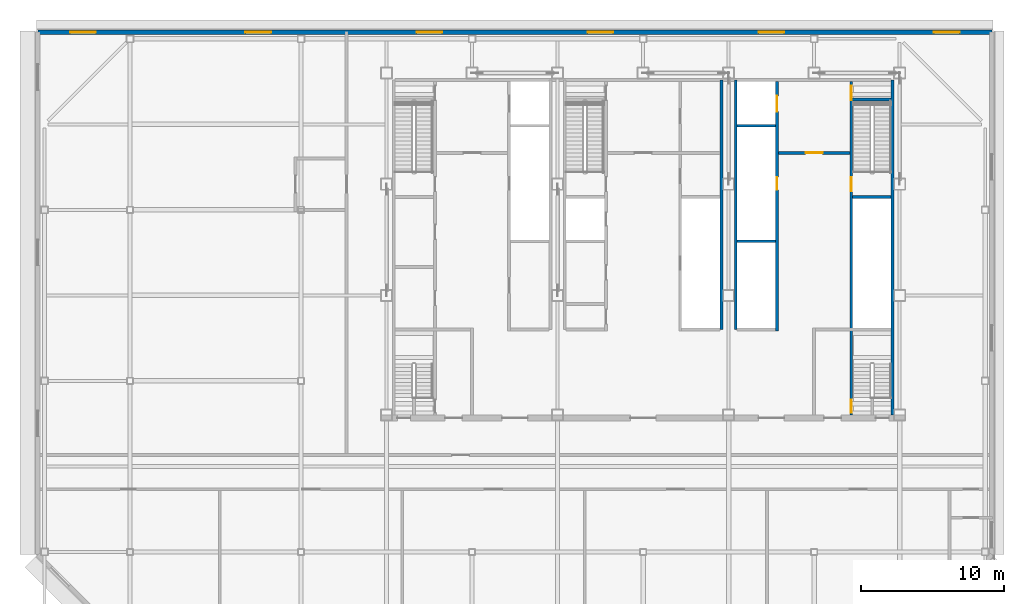
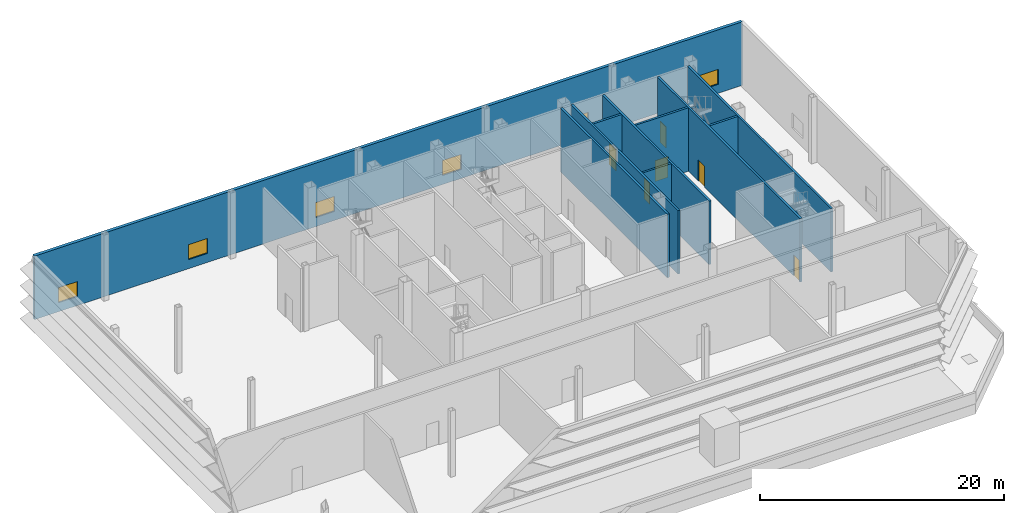
# One storey, part 7 of 14: 11 walls, 6 doors, 6 windows, 12 openings.
"""IFC4 building model written with IfcOpenShell, lengths in metres."""

from ifc_helpers import new_model, si_unit, direction, frame, frame_2d, origin, place, context, subcontext, project, spatial, rectangle, extrude, material, layer, layer_set, type_object, element, fill, save


model = new_model("IFC4")

# Units and contexts
model_context = context("Model", 3, precision=1e-05, world=origin(), true_north=direction((0.0, 1.0)))
body_context = subcontext(model_context, "Body", "Model", "MODEL_VIEW")
ifc_project = project(units=[si_unit("LENGTHUNIT", "METRE"), si_unit("AREAUNIT", "SQUARE_METRE"), si_unit("VOLUMEUNIT", "CUBIC_METRE"), si_unit("PLANEANGLEUNIT", "RADIAN"), si_unit("MASSUNIT", "GRAM", prefix="KILO")], contexts=[model_context])

# Site, building, storey
site_placement = place(None, origin())
site = spatial("IfcSite", under=ifc_project, at=site_placement, CompositionType="ELEMENT")
building_placement = place(site_placement, origin())
building = spatial("IfcBuilding", under=site, at=building_placement, Name="Sorahane Residences", CompositionType="ELEMENT")
storey_placement = place(building_placement, frame((0.0, 0.0, 331.199951171875)))
storey = spatial("IfcBuildingStorey", under=building, at=storey_placement, Name="L79", CompositionType="ELEMENT", Elevation=331.199951171875)

# Walls
ifc_material_1 = material(Name="Concrete C30", Category="concrete")
ifc_layer_1 = layer(ifc_material_1, 0.199951171875)
ifc_layer_set_1 = layer_set([ifc_layer_1], Name="Core face wall 200 EI 180")
wall_type_1 = type_object("IfcWallType", Name="Core face wall 200 EI 180", PredefinedType="SOLIDWALL", material=ifc_layer_set_1)
wall_1_placement = place(storey_placement, frame((41.5, 21.60009765625, 0.0), z_axis=(0.0, 0.0, 1.0), x_axis=(0.0, 1.0, 0.0)))
element("IfcWall", 1, at=wall_1_placement, inside=storey, type_object=wall_type_1, Name="L79 core face wall", PredefinedType="SOLIDWALL", context=body_context, shape_type="SweptSolid", body=[
    extrude(rectangle(XDim=23.5, YDim=0.199951171875, at=frame_2d((11.75, 0.0))), origin(), (0.0, 0.0, 1.0), 6.35009765625),
])
for number, where, z_axis, x_axis, name in (
    (2, (29.5, 27.60009765625, 0.0), (0.0, 0.0, 1.0), (0.0, 1.0, 0.0), "L79 core face wall"),
    (3, (30.5, 27.60009765625, 0.0), (0.0, 0.0, 1.0), (0.0, 1.0, 0.0), "L79 core face wall"),
):
    element("IfcWall", number, at=place(storey_placement, frame(where, z_axis=z_axis, x_axis=x_axis)), inside=storey, type_object=wall_type_1, Name=name, PredefinedType="SOLIDWALL", context=body_context, shape_type="SweptSolid", body=[
        extrude(rectangle(XDim=17.5, YDim=0.199951171875, at=frame_2d((8.75, 0.0))), origin(), (0.0, 0.0, 1.0), 6.35009765625),
    ])

# Wall, openings, windows
ifc_material_2 = material(Name="Graphite insulated metal-clad wall")
ifc_layer_2 = layer(ifc_material_2, 0.300048828125)
ifc_layer_set_2 = layer_set([ifc_layer_2], Name="External wall insulated metal-clad 300")
wall_type_2 = type_object("IfcWallType", Name="External wall insulated metal-clad 300", PredefinedType="SOLIDWALL", material=ifc_layer_set_2)
wall_2_placement = place(storey_placement, frame((48.469970703125, 48.469970703125, 0.0), z_axis=(0.0, 0.0, 1.0), x_axis=(-1.0, 0.0, 0.0)))
wall_2 = element("IfcWall", 4, at=wall_2_placement, inside=storey, type_object=wall_type_2, Name="External plant wall L79 N1", PredefinedType="SOLIDWALL", context=body_context, shape_type="SweptSolid", body=[
    extrude(rectangle(XDim=66.93994140625, YDim=0.300048828125, at=frame_2d((33.469970703125, 0.0))), origin(), (0.0, 0.0, 1.0), 6.35009765625),
])
opening_1_placement = place(wall_2_placement, frame((2.27001953125, 0.0, 0.89990234375)))
opening_1 = element("IfcOpeningElement", 5, at=opening_1_placement, cuts=wall_2, Name="Opening W-R1", PredefinedType="OPENING", context=body_context, shape_type="SweptSolid", body=[
    extrude(rectangle(XDim=1.800048828125, YDim=1.5, at=frame_2d((0.89990234375, 0.75))), frame((0.0, 0.159912109375, 0.0), z_axis=(0.0, -1.0, 0.0), x_axis=(1.0, 0.0, 0.0)), (0.0, 0.0, 1.0), 0.320068359375),
])
opening_2_placement = place(wall_2_placement, frame((14.570068359375, 0.0, 0.89990234375)))
opening_2 = element("IfcOpeningElement", 6, at=opening_2_placement, cuts=wall_2, Name="Opening W-R1", PredefinedType="OPENING", context=body_context, shape_type="SweptSolid", body=[
    extrude(rectangle(XDim=1.800048828125, YDim=1.5, at=frame_2d((0.89990234375, 0.75))), frame((0.0, 0.159912109375, 0.0), z_axis=(0.0, -1.0, 0.0), x_axis=(1.0, 0.0, 0.0)), (0.0, 0.0, 1.0), 0.320068359375),
])
opening_3_placement = place(wall_2_placement, frame((26.570068359375, 0.0, 0.89990234375)))
opening_3 = element("IfcOpeningElement", 7, at=opening_3_placement, cuts=wall_2, Name="Opening W-R1", PredefinedType="OPENING", context=body_context, shape_type="SweptSolid", body=[
    extrude(rectangle(XDim=1.800048828125, YDim=1.5, at=frame_2d((0.89990234375, 0.75))), frame((0.0, 0.159912109375, 0.0), z_axis=(0.0, -1.0, 0.0), x_axis=(1.0, 0.0, 0.0)), (0.0, 0.0, 1.0), 0.320068359375),
])
opening_4_placement = place(wall_2_placement, frame((38.570068359375, 0.0, 0.89990234375)))
opening_4 = element("IfcOpeningElement", 8, at=opening_4_placement, cuts=wall_2, Name="Opening W-R1", PredefinedType="OPENING", context=body_context, shape_type="SweptSolid", body=[
    extrude(rectangle(XDim=1.800048828125, YDim=1.5, at=frame_2d((0.89990234375, 0.75))), frame((0.0, 0.159912109375, 0.0), z_axis=(0.0, -1.0, 0.0), x_axis=(1.0, 0.0, 0.0)), (0.0, 0.0, 1.0), 0.320068359375),
])
opening_5_placement = place(wall_2_placement, frame((50.570068359375, 0.0, 0.89990234375)))
opening_5 = element("IfcOpeningElement", 9, at=opening_5_placement, cuts=wall_2, Name="Opening W-R1", PredefinedType="OPENING", context=body_context, shape_type="SweptSolid", body=[
    extrude(rectangle(XDim=1.800048828125, YDim=1.5, at=frame_2d((0.89990234375, 0.75))), frame((0.0, 0.159912109375, 0.0), z_axis=(0.0, -1.0, 0.0), x_axis=(1.0, 0.0, 0.0)), (0.0, 0.0, 1.0), 0.320068359375),
])
opening_6_placement = place(wall_2_placement, frame((62.8701171875, 0.0, 0.89990234375)))
opening_6 = element("IfcOpeningElement", 10, at=opening_6_placement, cuts=wall_2, Name="Opening W-R1", PredefinedType="OPENING", context=body_context, shape_type="SweptSolid", body=[
    extrude(rectangle(XDim=1.800048828125, YDim=1.5, at=frame_2d((0.89990234375, 0.75))), frame((0.0, 0.159912109375, 0.0), z_axis=(0.0, -1.0, 0.0), x_axis=(1.0, 0.0, 0.0)), (0.0, 0.0, 1.0), 0.320068359375),
])
ifc_material_3 = material(Name="Dark aluminium and glass", Category="aluminium")
window_type = type_object("IfcWindowType", Name="Openable Class B fire window dark aluminium 1800x1500", PartitioningType="SINGLE_PANEL", PredefinedType="WINDOW", material=ifc_material_3)
window_1_placement = place(opening_1_placement, origin())
window_1 = element("IfcWindow", 11, at=window_1_placement, inside=storey, type_object=window_type, Name="Openable fire window L79 N1.1", OverallHeight=1.5, OverallWidth=1.800048828125, PartitioningType="SINGLE_PANEL", PredefinedType="WINDOW", context=body_context, shape_type="SweptSolid", body=[
    extrude(rectangle(XDim=1.800048828125, YDim=1.5, at=frame_2d((0.89990234375, 0.75))), frame((0.0, 0.030029296875, 0.0), z_axis=(0.0, -1.0, 0.0), x_axis=(1.0, 0.0, 0.0)), (0.0, 0.0, 1.0), 0.06005859375),
])
fill(opening_1, window_1)
window_2_placement = place(opening_2_placement, origin())
window_2 = element("IfcWindow", 12, at=window_2_placement, inside=storey, type_object=window_type, Name="Openable fire window L79 N1.3", OverallHeight=1.5, OverallWidth=1.800048828125, PartitioningType="SINGLE_PANEL", PredefinedType="WINDOW", context=body_context, shape_type="SweptSolid", body=[
    extrude(rectangle(XDim=1.800048828125, YDim=1.5, at=frame_2d((0.89990234375, 0.75))), frame((0.0, 0.030029296875, 0.0), z_axis=(0.0, -1.0, 0.0), x_axis=(1.0, 0.0, 0.0)), (0.0, 0.0, 1.0), 0.06005859375),
])
fill(opening_2, window_2)
window_3_placement = place(opening_3_placement, origin())
window_3 = element("IfcWindow", 13, at=window_3_placement, inside=storey, type_object=window_type, Name="Openable fire window L79 N1.5", OverallHeight=1.5, OverallWidth=1.800048828125, PartitioningType="SINGLE_PANEL", PredefinedType="WINDOW", context=body_context, shape_type="SweptSolid", body=[
    extrude(rectangle(XDim=1.800048828125, YDim=1.5, at=frame_2d((0.89990234375, 0.75))), frame((0.0, 0.030029296875, 0.0), z_axis=(0.0, -1.0, 0.0), x_axis=(1.0, 0.0, 0.0)), (0.0, 0.0, 1.0), 0.06005859375),
])
fill(opening_3, window_3)
window_4_placement = place(opening_4_placement, origin())
window_4 = element("IfcWindow", 14, at=window_4_placement, inside=storey, type_object=window_type, Name="Openable fire window L79 N1.7", OverallHeight=1.5, OverallWidth=1.800048828125, PartitioningType="SINGLE_PANEL", PredefinedType="WINDOW", context=body_context, shape_type="SweptSolid", body=[
    extrude(rectangle(XDim=1.800048828125, YDim=1.5, at=frame_2d((0.89990234375, 0.75))), frame((0.0, 0.030029296875, 0.0), z_axis=(0.0, -1.0, 0.0), x_axis=(1.0, 0.0, 0.0)), (0.0, 0.0, 1.0), 0.06005859375),
])
fill(opening_4, window_4)
window_5_placement = place(opening_5_placement, origin())
window_5 = element("IfcWindow", 15, at=window_5_placement, inside=storey, type_object=window_type, Name="Openable fire window L79 N1.9", OverallHeight=1.5, OverallWidth=1.800048828125, PartitioningType="SINGLE_PANEL", PredefinedType="WINDOW", context=body_context, shape_type="SweptSolid", body=[
    extrude(rectangle(XDim=1.800048828125, YDim=1.5, at=frame_2d((0.89990234375, 0.75))), frame((0.0, 0.030029296875, 0.0), z_axis=(0.0, -1.0, 0.0), x_axis=(1.0, 0.0, 0.0)), (0.0, 0.0, 1.0), 0.06005859375),
])
fill(opening_5, window_5)
window_6_placement = place(opening_6_placement, origin())
window_6 = element("IfcWindow", 16, at=window_6_placement, inside=storey, type_object=window_type, Name="Openable fire window L79 N1.11", OverallHeight=1.5, OverallWidth=1.800048828125, PartitioningType="SINGLE_PANEL", PredefinedType="WINDOW", context=body_context, shape_type="SweptSolid", body=[
    extrude(rectangle(XDim=1.800048828125, YDim=1.5, at=frame_2d((0.89990234375, 0.75))), frame((0.0, 0.030029296875, 0.0), z_axis=(0.0, -1.0, 0.0), x_axis=(1.0, 0.0, 0.0)), (0.0, 0.0, 1.0), 0.06005859375),
])
fill(opening_6, window_6)

# Wall, opening, door
ifc_material_4 = material(Name="Concrete C30", Category="concrete")
ifc_layer_3 = layer(ifc_material_4, 0.199951171875)
ifc_layer_set_3 = layer_set([ifc_layer_3], Name="Front room wall 200 EI 120")
wall_type_3 = type_object("IfcWallType", Name="Front room wall 200 EI 120", PredefinedType="PARTITIONING", material=ifc_layer_set_3)
wall_3_placement = place(storey_placement, frame((33.5, 40.0, 0.0), z_axis=(0.0, 0.0, 1.0), x_axis=(1.0, 0.0, 0.0)))
wall_3 = element("IfcWall", 17, at=wall_3_placement, inside=storey, type_object=wall_type_3, Name="L79 front room wall", PredefinedType="PARTITIONING", context=body_context, shape_type="SweptSolid", body=[
    extrude(rectangle(XDim=5.0, YDim=0.199951171875, at=frame_2d((2.5, 0.0))), origin(), (0.0, 0.0, 1.0), 6.35009765625),
])
opening_7_placement = place(wall_3_placement, frame((1.89990234375, 0.0, 0.0)))
opening_7 = element("IfcOpeningElement", 18, at=opening_7_placement, cuts=wall_3, Name="Opening L79-C08", PredefinedType="OPENING", context=body_context, shape_type="SweptSolid", body=[
    extrude(rectangle(XDim=1.199951171875, YDim=2.10009765625, at=frame_2d((0.60009765625, 1.050048828125))), frame((0.0, 0.10986328125, 0.0), z_axis=(0.0, -1.0, 0.0), x_axis=(1.0, 0.0, 0.0)), (0.0, 0.0, 1.0), 0.219970703125),
])
ifc_material_5 = material(Name="Steel", Category="steel")
door_type_1 = type_object("IfcDoorType", Name="Front room door 1200x2100 FD120", OperationType="NOTDEFINED", PredefinedType="DOOR", material=ifc_material_5)
door_1_placement = place(opening_7_placement, frame((1.199951171875, 0.0, 0.0), z_axis=(0.0, 0.0, 1.0), x_axis=(-1.0, 0.0, 0.0)))
door_1 = element("IfcDoor", 19, at=door_1_placement, inside=storey, type_object=door_type_1, Name="Front room door Firefighting lobby FF2 front room L79", OperationType="DOUBLE_DOOR_SINGLE_SWING", OverallHeight=2.10009765625, OverallWidth=1.199951171875, PredefinedType="DOOR", context=body_context, shape_type="SweptSolid", body=[
    extrude(rectangle(XDim=1.199951171875, YDim=2.10009765625, at=frame_2d((0.60009765625, 1.050048828125))), frame((0.0, 0.02490234375, 0.0), z_axis=(0.0, -1.0, 0.0), x_axis=(1.0, 0.0, 0.0)), (0.0, 0.0, 1.0), 0.050048828125),
])
fill(opening_7, door_1)

# Wall, openings, doors
ifc_material_6 = material(Name="Concrete C30", Category="concrete")
ifc_layer_4 = layer(ifc_material_6, 0.199951171875)
ifc_layer_set_4 = layer_set([ifc_layer_4], Name="Lift shaft wall 200 EI 120")
wall_type_4 = type_object("IfcWallType", Name="Lift shaft wall 200 EI 120", PredefinedType="SOLIDWALL", material=ifc_layer_set_4)
wall_4_placement = place(storey_placement, frame((33.39990234375, 27.5, 0.0), z_axis=(0.0, 0.0, 1.0), x_axis=(0.0, 1.0, 0.0)))
wall_4 = element("IfcWall", 20, at=wall_4_placement, inside=storey, type_object=wall_type_4, Name="L79 lift shaft wall", PredefinedType="SOLIDWALL", context=body_context, shape_type="SweptSolid", body=[
    extrude(rectangle(XDim=17.5, YDim=0.199951171875, at=frame_2d((8.75, 0.0))), origin(), (0.0, 0.0, 1.0), 6.35009765625),
])
opening_8_placement = place(wall_4_placement, frame((15.39990234375, 0.0, 0.0)))
opening_8 = element("IfcOpeningElement", 21, at=opening_8_placement, cuts=wall_4, Name="Opening L79-C09", PredefinedType="OPENING", context=body_context, shape_type="SweptSolid", body=[
    extrude(rectangle(XDim=1.10009765625, YDim=2.10009765625, at=frame_2d((0.550048828125, 1.050048828125))), frame((0.0, 0.10986328125, 0.0), z_axis=(0.0, -1.0, 0.0), x_axis=(1.0, 0.0, 0.0)), (0.0, 0.0, 1.0), 0.219970703125),
])
opening_9_placement = place(wall_4_placement, frame((9.89990234375, 0.0, 0.0)))
opening_9 = element("IfcOpeningElement", 22, at=opening_9_placement, cuts=wall_4, Name="Opening L79-C27", PredefinedType="OPENING", context=body_context, shape_type="SweptSolid", body=[
    extrude(rectangle(XDim=0.89990234375, YDim=2.10009765625, at=frame_2d((0.449951171875, 1.050048828125))), frame((0.0, 0.10986328125, 0.0), z_axis=(0.0, -1.0, 0.0), x_axis=(1.0, 0.0, 0.0)), (0.0, 0.0, 1.0), 0.219970703125),
])
ifc_material_7 = material(Name="Aluminium and stainless steel", Category="steel")
door_type_2 = type_object("IfcDoorType", Name="Lift landing door 1100x2100 E 60", OperationType="NOTDEFINED", PredefinedType="DOOR", material=ifc_material_7)
door_2_placement = place(opening_8_placement, origin())
door_2 = element("IfcDoor", 23, at=door_2_placement, inside=storey, type_object=door_type_2, Name="Lift landing door FF2 L79", OperationType="DOUBLE_DOOR_SLIDING", OverallHeight=2.10009765625, OverallWidth=1.10009765625, PredefinedType="DOOR", context=body_context, shape_type="SweptSolid", body=[
    extrude(rectangle(XDim=1.10009765625, YDim=2.10009765625, at=frame_2d((0.550048828125, 1.050048828125))), frame((0.0, 0.02490234375, 0.0), z_axis=(0.0, -1.0, 0.0), x_axis=(1.0, 0.0, 0.0)), (0.0, 0.0, 1.0), 0.050048828125),
])
fill(opening_8, door_2)
ifc_material_8 = material(Name="Steel", Category="steel")
door_type_3 = type_object("IfcDoorType", Name="Riser door 900x2100 FD120", OperationType="NOTDEFINED", PredefinedType="DOOR", material=ifc_material_8)
door_3_placement = place(opening_9_placement, frame((0.89990234375, 0.0, 0.0), z_axis=(0.0, 0.0, 1.0), x_axis=(-1.0, 0.0, 0.0)))
door_3 = element("IfcDoor", 24, at=door_3_placement, inside=storey, type_object=door_type_3, Name="Riser door R2 L79", OperationType="SINGLE_SWING_LEFT", OverallHeight=2.10009765625, OverallWidth=0.89990234375, PredefinedType="DOOR", context=body_context, shape_type="SweptSolid", body=[
    extrude(rectangle(XDim=0.89990234375, YDim=2.10009765625, at=frame_2d((0.449951171875, 1.050048828125))), frame((0.0, 0.02490234375, 0.0), z_axis=(0.0, -1.0, 0.0), x_axis=(1.0, 0.0, 0.0)), (0.0, 0.0, 1.0), 0.050048828125),
])
fill(opening_9, door_3)

# Walls
for number, where, z_axis, x_axis, name in (
    (25, (30.60009765625, 33.800048828125, 0.0), (0.0, 0.0, 1.0), (1.0, 0.0, 0.0), "L79 lift shaft wall"),
    (26, (30.60009765625, 41.89990234375, 0.0), (0.0, 0.0, 1.0), (1.0, 0.0, 0.0), "L79 lift shaft wall"),
):
    element("IfcWall", number, at=place(storey_placement, frame(where, z_axis=z_axis, x_axis=x_axis)), inside=storey, type_object=wall_type_4, Name=name, PredefinedType="SOLIDWALL", context=body_context, shape_type="SweptSolid", body=[
        extrude(rectangle(XDim=2.699951171875, YDim=0.199951171875, at=frame_2d((1.35009765625, 0.0))), origin(), (0.0, 0.0, 1.0), 6.35009765625),
    ])

# Wall, openings, doors
ifc_material_9 = material(Name="Concrete C30", Category="concrete")
ifc_layer_5 = layer(ifc_material_9, 0.199951171875)
ifc_layer_set_5 = layer_set([ifc_layer_5], Name="Stair enclosure wall 200 EI 120")
wall_type_5 = type_object("IfcWallType", Name="Stair enclosure wall 200 EI 120", PredefinedType="SOLIDWALL", material=ifc_layer_set_5)
wall_5_placement = place(storey_placement, frame((38.60009765625, 21.60009765625, 0.0), z_axis=(0.0, 0.0, 1.0), x_axis=(0.0, 1.0, 0.0)))
wall_5 = element("IfcWall", 27, at=wall_5_placement, inside=storey, type_object=wall_type_5, Name="L79 stair enclosure wall", PredefinedType="SOLIDWALL", context=body_context, shape_type="SweptSolid", body=[
    extrude(rectangle(XDim=23.39990234375, YDim=0.199951171875, at=frame_2d((11.699951171875, 0.0))), origin(), (0.0, 0.0, 1.0), 6.35009765625),
])
opening_10_placement = place(wall_5_placement, frame((22.10009765625, 0.0, 0.0)))
opening_10 = element("IfcOpeningElement", 28, at=opening_10_placement, cuts=wall_5, Name="Opening L79-C18", PredefinedType="OPENING", context=body_context, shape_type="SweptSolid", body=[
    extrude(rectangle(XDim=1.0, YDim=2.10009765625, at=frame_2d((0.5, 1.050048828125))), frame((0.0, 0.10986328125, 0.0), z_axis=(0.0, -1.0, 0.0), x_axis=(1.0, 0.0, 0.0)), (0.0, 0.0, 1.0), 0.219970703125),
])
opening_11_placement = place(wall_5_placement, frame((15.699951171875, 0.0, 0.0)))
opening_11 = element("IfcOpeningElement", 29, at=opening_11_placement, cuts=wall_5, Name="Opening L79-C19", PredefinedType="OPENING", context=body_context, shape_type="SweptSolid", body=[
    extrude(rectangle(XDim=1.0, YDim=2.10009765625, at=frame_2d((0.5, 1.050048828125))), frame((0.0, 0.10986328125, 0.0), z_axis=(0.0, -1.0, 0.0), x_axis=(1.0, 0.0, 0.0)), (0.0, 0.0, 1.0), 0.219970703125),
])
opening_12_placement = place(wall_5_placement, frame((0.175048828125, 0.0, 0.0)))
opening_12 = element("IfcOpeningElement", 30, at=opening_12_placement, cuts=wall_5, Name="Opening L79-C24", PredefinedType="OPENING", context=body_context, shape_type="SweptSolid", body=[
    extrude(rectangle(XDim=0.89990234375, YDim=2.10009765625, at=frame_2d((0.449951171875, 1.050048828125))), frame((0.0, 0.10986328125, 0.0), z_axis=(0.0, -1.0, 0.0), x_axis=(1.0, 0.0, 0.0)), (0.0, 0.0, 1.0), 0.219970703125),
])
ifc_material_10 = material(Name="Steel", Category="steel")
door_type_4 = type_object("IfcDoorType", Name="Refuge stair door 1000x2100 FD120", OperationType="NOTDEFINED", PredefinedType="DOOR", material=ifc_material_10)
door_4_placement = place(opening_10_placement, frame((1.0, 0.0, 0.0), z_axis=(0.0, 0.0, 1.0), x_axis=(-1.0, 0.0, 0.0)))
door_4 = element("IfcDoor", 31, at=door_4_placement, inside=storey, type_object=door_type_4, Name="Refuge stair door S2 L79", OperationType="SINGLE_SWING_LEFT", OverallHeight=2.10009765625, OverallWidth=1.0, PredefinedType="DOOR", context=body_context, shape_type="SweptSolid", body=[
    extrude(rectangle(XDim=1.0, YDim=2.10009765625, at=frame_2d((0.5, 1.050048828125))), frame((0.0, 0.02490234375, 0.0), z_axis=(0.0, -1.0, 0.0), x_axis=(1.0, 0.0, 0.0)), (0.0, 0.0, 1.0), 0.050048828125),
])
fill(opening_10, door_4)
door_5_placement = place(opening_11_placement, frame((1.0, 0.0, 0.0), z_axis=(0.0, 0.0, 1.0), x_axis=(-1.0, 0.0, 0.0)))
door_5 = element("IfcDoor", 32, at=door_5_placement, inside=storey, type_object=door_type_4, Name="Refuge stair door S2 L79", OperationType="SINGLE_SWING_LEFT", OverallHeight=2.10009765625, OverallWidth=1.0, PredefinedType="DOOR", context=body_context, shape_type="SweptSolid", body=[
    extrude(rectangle(XDim=1.0, YDim=2.10009765625, at=frame_2d((0.5, 1.050048828125))), frame((0.0, 0.02490234375, 0.0), z_axis=(0.0, -1.0, 0.0), x_axis=(1.0, 0.0, 0.0)), (0.0, 0.0, 1.0), 0.050048828125),
])
fill(opening_11, door_5)
ifc_material_11 = material(Name="Steel", Category="steel")
door_type_5 = type_object("IfcDoorType", Name="Refuge stair door 900x2100 FD120", OperationType="NOTDEFINED", PredefinedType="DOOR", material=ifc_material_11)
door_6_placement = place(opening_12_placement, frame((0.89990234375, 0.0, 0.0), z_axis=(0.0, 0.0, 1.0), x_axis=(-1.0, 0.0, 0.0)))
door_6 = element("IfcDoor", 33, at=door_6_placement, inside=storey, type_object=door_type_5, Name="Refuge stair door S5 L79", OperationType="SINGLE_SWING_LEFT", OverallHeight=2.10009765625, OverallWidth=0.89990234375, PredefinedType="DOOR", context=body_context, shape_type="SweptSolid", body=[
    extrude(rectangle(XDim=0.89990234375, YDim=2.10009765625, at=frame_2d((0.449951171875, 1.050048828125))), frame((0.0, 0.02490234375, 0.0), z_axis=(0.0, -1.0, 0.0), x_axis=(1.0, 0.0, 0.0)), (0.0, 0.0, 1.0), 0.050048828125),
])
fill(opening_12, door_6)

# Walls
wall_6_placement = place(storey_placement, frame((38.699951171875, 36.89990234375, 0.0), z_axis=(0.0, 0.0, 1.0), x_axis=(1.0, 0.0, 0.0)))
element("IfcWall", 34, at=wall_6_placement, inside=storey, type_object=wall_type_5, Name="L79 stair enclosure wall", PredefinedType="SOLIDWALL", context=body_context, shape_type="SweptSolid", body=[
    extrude(rectangle(XDim=2.699951171875, YDim=0.199951171875, at=frame_2d((1.35009765625, 0.0))), origin(), (0.0, 0.0, 1.0), 6.35009765625),
])
wall_7_placement = place(storey_placement, frame((38.699951171875, 43.75, 0.0), z_axis=(0.0, 0.0, 1.0), x_axis=(1.0, 0.0, 0.0)))
element("IfcWall", 35, at=wall_7_placement, inside=storey, type_object=wall_type_5, Name="L79 stair enclosure wall", PredefinedType="SOLIDWALL", context=body_context, shape_type="SweptSolid", body=[
    extrude(rectangle(XDim=2.699951171875, YDim=0.199951171875, at=frame_2d((1.35009765625, 0.0))), origin(), (0.0, 0.0, 1.0), 3.10009765625),
])

save(model, "model.ifc")
